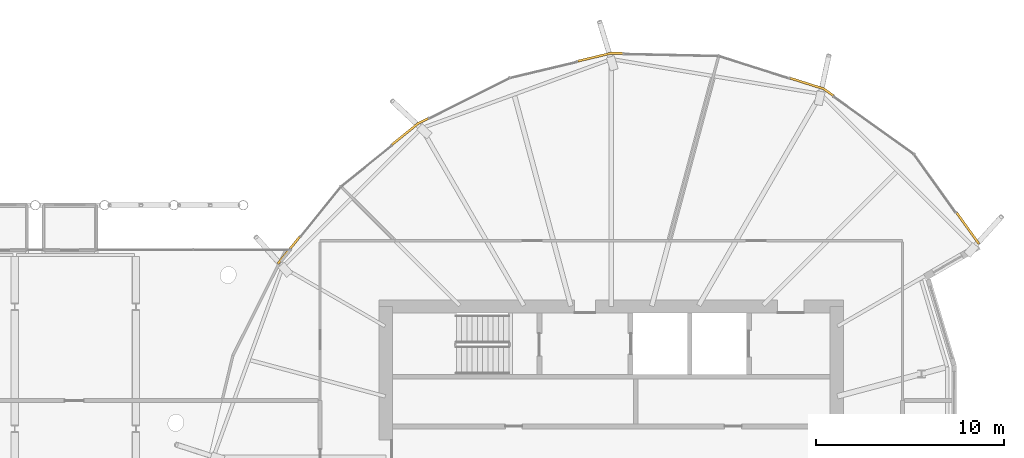
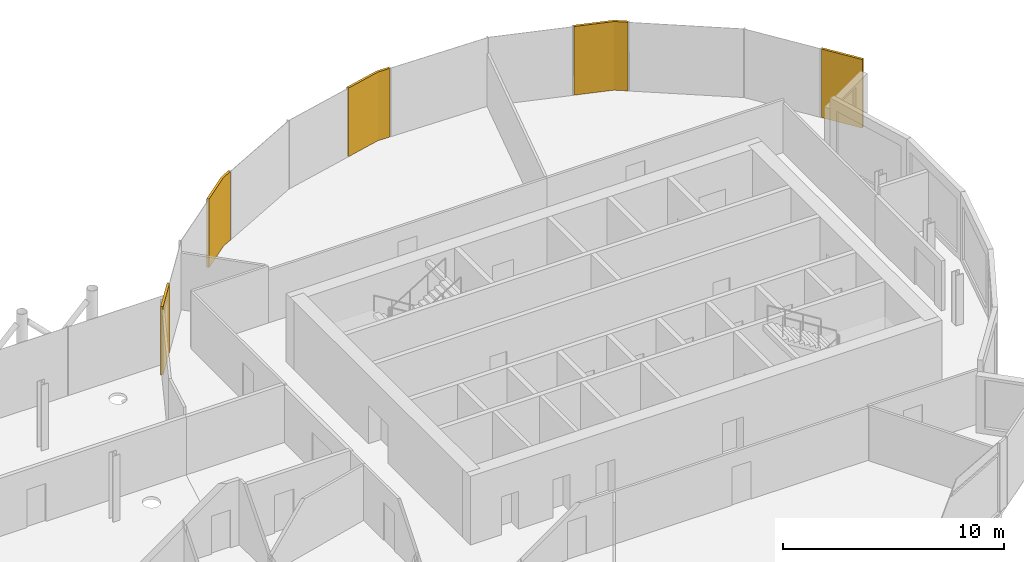
# One storey, part 40 of 40: 5 coverings.
"""IFC4 building model written with IfcOpenShell, lengths in metres."""

from ifc_helpers import new_model, si_unit, direction, frame, origin, place, context, subcontext, project, spatial, polyline, outline, extrude, material, layer, layer_set, type_object, element, save


model = new_model("IFC4")

# Units and contexts
model_context = context("Model", 3, precision=1e-05, world=origin(), true_north=direction((0.0, 1.0)))
body_context = subcontext(model_context, "Body", "Model", "MODEL_VIEW")
ifc_project = project(units=[si_unit("LENGTHUNIT", "METRE"), si_unit("AREAUNIT", "SQUARE_METRE"), si_unit("VOLUMEUNIT", "CUBIC_METRE"), si_unit("PLANEANGLEUNIT", "RADIAN"), si_unit("MASSUNIT", "GRAM", prefix="KILO")], contexts=[model_context])

# Site, building, storey
site_placement = place(None, origin())
site = spatial("IfcSite", under=ifc_project, at=site_placement, CompositionType="ELEMENT")
building_placement = place(site_placement, origin())
building = spatial("IfcBuilding", under=site, at=building_placement, Name="Rimbun Link Towers", CompositionType="ELEMENT")
storey_placement = place(building_placement, frame((0.0, 0.0, 150.60009765625)))
storey = spatial("IfcBuildingStorey", under=building, at=storey_placement, Name="L36", CompositionType="ELEMENT", Elevation=150.60009765625)

# Coverings
ifc_material = material(Name="Terracotta", Category="masonry")
ifc_layer = layer(ifc_material, 0.1201171875)
ifc_layer_set = layer_set([ifc_layer], Name="LINK PIER terracotta cladding 120")
covering_type = type_object("IfcCoveringType", Name="LINK PIER terracotta cladding 120", PredefinedType="CLADDING", material=ifc_layer_set)
covering_1_placement = place(storey_placement, origin())
element("IfcCovering", 1, at=covering_1_placement, inside=storey, type_object=covering_type, Name="LINK PIER cladding", PredefinedType="CLADDING", context=body_context, shape_type="SweptSolid", body=[
    extrude(outline(polyline([(41.2490234375, 20.10595703125), (43.031005859375, 19.539306640625), (43.53466796875, 19.177734375), (43.604736328125, 19.275390625), (43.08544921875, 19.64794921875), (41.285400390625, 20.220458984375), (41.2490234375, 20.10595703125)])), origin(), (0.0, 0.0, 1.0), 3.7998046875),
])
covering_2_placement = place(storey_placement, origin())
element("IfcCovering", 2, at=covering_2_placement, inside=storey, type_object=covering_type, Name="LINK PIER cladding", PredefinedType="CLADDING", context=body_context, shape_type="SweptSolid", body=[
    extrude(outline(polyline([(29.97998046875, 21.0078125), (31.75, 21.43115234375), (32.369873046875, 21.418212890625), (32.372314453125, 21.5380859375), (31.737060546875, 21.551513671875), (29.951904296875, 21.12451171875), (29.97998046875, 21.0078125)])), origin(), (0.0, 0.0, 1.0), 3.7998046875),
])
covering_3_placement = place(storey_placement, origin())
element("IfcCovering", 3, at=covering_3_placement, inside=storey, type_object=covering_type, Name="LINK PIER cladding", PredefinedType="CLADDING", context=body_context, shape_type="SweptSolid", body=[
    extrude(outline(polyline([(20.10791015625, 16.569580078125), (21.5224609375, 17.714599609375), (22.031982421875, 17.970458984375), (21.97802734375, 18.07763671875), (21.45703125, 17.81591796875), (20.032470703125, 16.662841796875), (20.10791015625, 16.569580078125)])), origin(), (0.0, 0.0, 1.0), 3.7998046875),
])
covering_4_placement = place(storey_placement, origin())
element("IfcCovering", 4, at=covering_4_placement, inside=storey, type_object=covering_type, Name="LINK PIER cladding", PredefinedType="CLADDING", context=body_context, shape_type="SweptSolid", body=[
    extrude(outline(polyline([(14.05419921875, 10.250732421875), (15.2119140625, 11.680908203125), (15.11865234375, 11.756591796875), (13.9609375, 10.326416015625), (14.05419921875, 10.250732421875)])), origin(), (0.0, 0.0, 1.0), 3.7998046875),
])
covering_5_placement = place(storey_placement, origin())
element("IfcCovering", 5, at=covering_5_placement, inside=storey, type_object=covering_type, Name="LINK PIER cladding", PredefinedType="CLADDING", context=body_context, shape_type="SweptSolid", body=[
    extrude(outline(polyline([(50.08251953125, 12.962890625), (51.271728515625, 11.305419921875), (51.369384765625, 11.375244140625), (50.179931640625, 13.03271484375), (50.08251953125, 12.962890625)])), origin(), (0.0, 0.0, 1.0), 3.7998046875),
])

save(model, "model.ifc")
